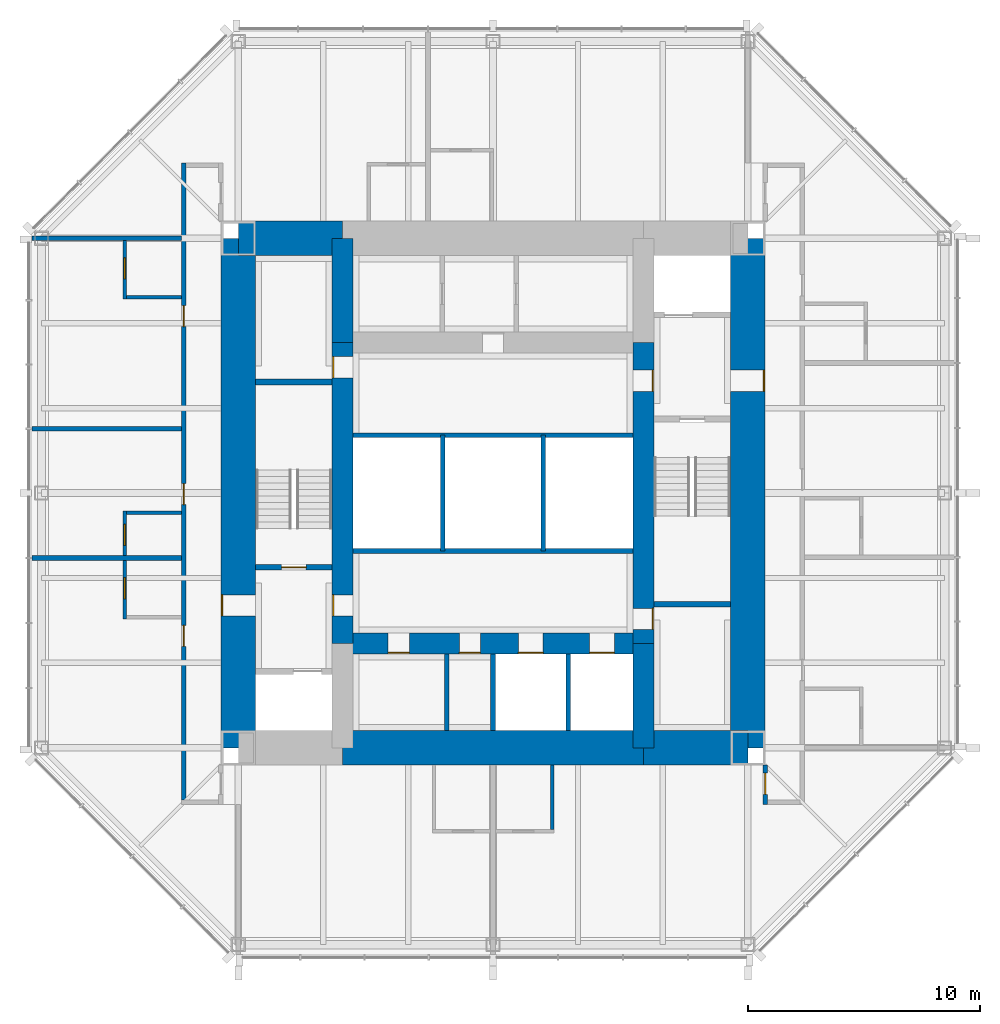
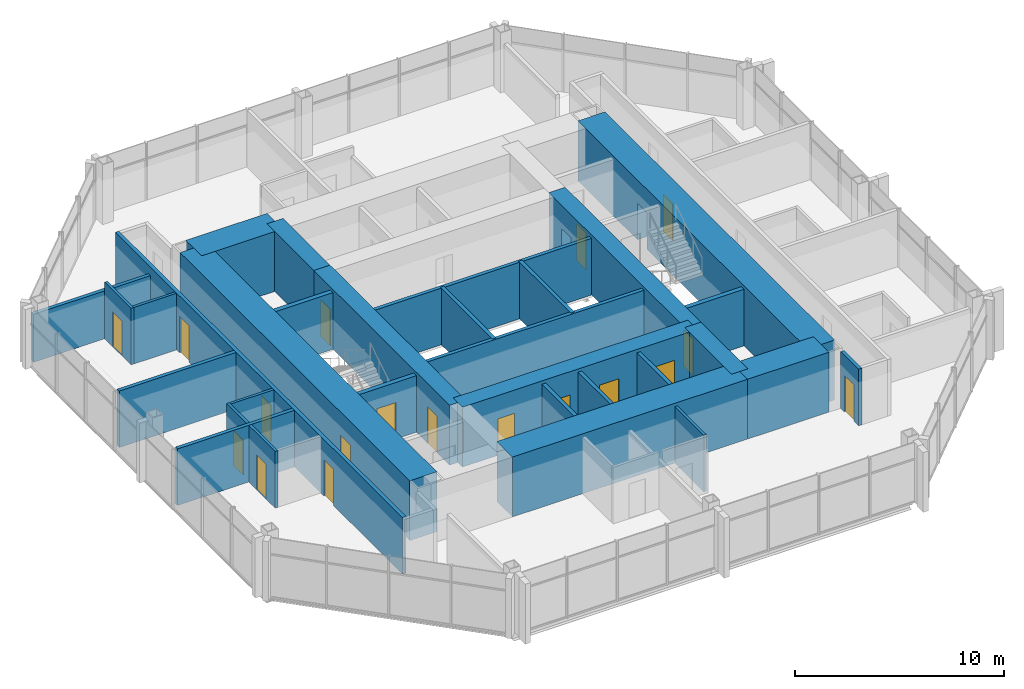
# One storey, part 8 of 11: 31 walls, 18 doors, 18 openings.
"""IFC4 building model written with IfcOpenShell, lengths in metres."""

import ifcopenshell
import ifcopenshell.guid

model = None  # the IFC model being written
_history = None  # IfcOwnerHistory: only IFC2X3 demands one
_inside = {}  # id of a spatial element -> (the spatial element, [elements in it])
_under = {}  # id of a project, library or spatial element -> (it, [spatial elements below it])
_declared = {}  # id of a project -> (the project, [libraries it declares])
_typed = {}  # id of a type object -> (the type object, [elements of that type])
_made_of = {}  # id of a material, layer set ... -> (it, [elements and type objects made of it])


def new_model(schema):
    """Start an empty IFC model of exactly this schema.

    Asked for "IFC4X3", IfcOpenShell would pick the latest addendum, in which some entities
    have other attributes; the version numbers below select the first issue.
    IFC2X3 requires an IfcOwnerHistory on every rooted entity: one is made here for all.
    """
    global model, _history
    if schema == "IFC4X3":
        model = ifcopenshell.file(schema_version=(4, 3, 0, 0))
    else:
        model = ifcopenshell.file(schema=schema)
    _inside.clear()
    _under.clear()
    _declared.clear()
    _typed.clear()
    _made_of.clear()
    _history = None
    if model.schema == "IFC2X3":
        org = make("IfcOrganization", Name="unknown")
        user = make(
            "IfcPersonAndOrganization",
            ThePerson=make("IfcPerson", FamilyName="unknown"),
            TheOrganization=org,
        )
        app = make(
            "IfcApplication",
            ApplicationDeveloper=org,
            Version="unknown",
            ApplicationFullName="unknown",
            ApplicationIdentifier="unknown",
        )
        _history = make(
            "IfcOwnerHistory",
            OwningUser=user,
            OwningApplication=app,
            ChangeAction="ADDED",
            CreationDate=0,
        )
    return model


def make(cls, **values):
    """One entity of the class cls with the attributes given. An attribute that is None is left unset."""
    return model.create_entity(
        cls, **{name: value for name, value in values.items() if value is not None}
    )


def rooted(cls, **values):
    """An entity with a GlobalId (a new one), such as an element, a storey or a relation."""
    return make(cls, GlobalId=ifcopenshell.guid.new(), OwnerHistory=_history, **values)


def si_unit(unit_type, name, prefix=None):
    """IfcSIUnit, for example si_unit("LENGTHUNIT", "METRE", prefix="MILLI")."""
    return make("IfcSIUnit", UnitType=unit_type, Prefix=prefix, Name=name)


def assignment(units):
    """IfcUnitAssignment: the units of a project."""
    return None if units is None else make("IfcUnitAssignment", Units=units)


def point(xyz):
    """IfcCartesianPoint."""
    return None if xyz is None else make("IfcCartesianPoint", Coordinates=xyz)


def direction(xyz):
    """IfcDirection."""
    return None if xyz is None else make("IfcDirection", DirectionRatios=xyz)


def frame(location, z_axis=None, x_axis=None):
    """IfcAxis2Placement3D, a coordinate frame: its origin and axes. An axis left out is left unset."""
    return make(
        "IfcAxis2Placement3D",
        Location=point(location),
        Axis=direction(z_axis),
        RefDirection=direction(x_axis),
    )


def frame_2d(location, x_axis=None):
    """IfcAxis2Placement2D, a coordinate frame in the plane: its origin and x axis."""
    return make(
        "IfcAxis2Placement2D", Location=point(location), RefDirection=direction(x_axis)
    )


def origin():
    """The frame at (0, 0, 0) with its axes left unset."""
    return frame((0.0, 0.0, 0.0))


def place(relative_to, where):
    """IfcLocalPlacement: puts the frame where relative to a parent placement (None: the world)."""
    return make(
        "IfcLocalPlacement", PlacementRelTo=relative_to, RelativePlacement=where
    )


def context(
    kind, dimensions, precision=None, world=None, true_north=None, identifier=None
):
    """IfcGeometricRepresentationContext, for example the 3D "Model" context."""
    return make(
        "IfcGeometricRepresentationContext",
        ContextIdentifier=identifier,
        ContextType=kind,
        CoordinateSpaceDimension=dimensions,
        Precision=precision,
        WorldCoordinateSystem=world,
        TrueNorth=true_north,
    )


def subcontext(parent, identifier, kind, view, scale=None):
    """IfcGeometricRepresentationSubContext, for example "Body" below "Model"."""
    return make(
        "IfcGeometricRepresentationSubContext",
        ContextIdentifier=identifier,
        ContextType=kind,
        ParentContext=parent,
        TargetScale=scale,
        TargetView=view,
    )


def project(units=None, contexts=None):
    """IfcProject with its units and contexts."""
    return rooted(
        "IfcProject",
        Name="project",
        RepresentationContexts=contexts,
        UnitsInContext=assignment(units),
    )


def spatial(cls, under=None, at=None, **own):
    """A site, building, storey or space (cls), placed at a placement, below another one or the project."""
    s = rooted(cls, ObjectPlacement=at, **own)
    if under is not None:
        _under.setdefault(under.id(), (under, []))[1].append(s)
    return s


def profile(cls, at=None, kind="AREA", **sizes):
    """A parametric profile (cls). Its sizes go by their IFC names, for example OverallWidth=200.0."""
    return make(cls, ProfileType=kind, Position=at, **sizes)


def rectangle(**sizes):
    """IfcRectangleProfileDef."""
    return profile("IfcRectangleProfileDef", **sizes)


def extrude(swept, where, along, depth):
    """IfcExtrudedAreaSolid: the profile swept, set in the frame where, extruded along a direction by depth."""
    return make(
        "IfcExtrudedAreaSolid",
        SweptArea=swept,
        Position=where,
        ExtrudedDirection=direction(along),
        Depth=depth,
    )


def shape(context_of_items, identifier, shape_type, items):
    """IfcShapeRepresentation: the items that make up one representation, for example the "Body"."""
    return make(
        "IfcShapeRepresentation",
        ContextOfItems=context_of_items,
        RepresentationIdentifier=identifier,
        RepresentationType=shape_type,
        Items=items,
    )


def material(Name=None, Category=None):
    """IfcMaterial."""
    return make("IfcMaterial", Name=Name, Category=Category)


def layer(
    of_material, thickness, ventilated=None, Name=None, Category=None, Priority=None
):
    """IfcMaterialLayer: one layer of a wall or slab, of a material (None: an air gap)."""
    return make(
        "IfcMaterialLayer",
        Material=of_material,
        LayerThickness=thickness,
        IsVentilated=ventilated,
        Name=Name,
        Category=Category,
        Priority=Priority,
    )


def layer_set(layers, Name=None):
    """IfcMaterialLayerSet."""
    return make("IfcMaterialLayerSet", MaterialLayers=layers, LayerSetName=Name)


def made_of(thing, what):
    """Note that an element or type object is made of a material, layer set ...; save() writes the relation."""
    if what is not None:
        _made_of.setdefault(what.id(), (what, []))[1].append(thing)
    return thing


def type_object(cls, material=None, **own):
    """A type object (cls), such as IfcWallType, which elements share."""
    return made_of(rooted(cls, **own), material)


def element(
    cls,
    number,
    at=None,
    inside=None,
    cuts=None,
    type_object=None,
    material=None,
    context=None,
    identifier="Body",
    shape_type=None,
    held_by="IfcProductDefinitionShape",
    body=None,
    shapes=None,
    **own,
):
    """One element of the class cls, such as IfcWall. Its Tag is "e" and its number.

    at: its placement. inside: the storey or other place that contains it. cuts: it is an
    opening in that element (IfcRelVoidsElement). A single representation is given by context,
    identifier, shape_type and body (its items); several are given by shapes. held_by: the class
    of the entity that holds the representations. save() writes the other relations.
    """
    e = rooted(cls, Tag="e%d" % number, ObjectPlacement=at, **own)
    if body is not None:
        shapes = [shape(context, identifier, shape_type, body)]
    if shapes is not None:
        e.Representation = make(held_by, Representations=shapes)
    if inside is not None:
        _inside.setdefault(inside.id(), (inside, []))[1].append(e)
    if cuts is not None:
        rooted(
            "IfcRelVoidsElement", RelatingBuildingElement=cuts, RelatedOpeningElement=e
        )
    if type_object is not None:
        _typed.setdefault(type_object.id(), (type_object, []))[1].append(e)
    return made_of(e, material)


def fill(opening, filler):
    """IfcRelFillsElement: the door or window that sits in an opening."""
    return rooted(
        "IfcRelFillsElement",
        RelatingOpeningElement=opening,
        RelatedBuildingElement=filler,
    )


def aggregate(whole, parts):
    """IfcRelAggregates: a whole, such as a stair, and the parts it consists of."""
    return rooted("IfcRelAggregates", RelatingObject=whole, RelatedObjects=parts)


def save(model, path):
    """Write the relations noted so far, then the file.

    IfcRelAggregates (storeys below a building ...), IfcRelContainedInSpatialStructure (elements
    in a storey), IfcRelDefinesByType, IfcRelAssociatesMaterial and IfcRelDeclares: one each for
    every whole, place, type object, material and project.
    """
    for whole, parts in _under.values():
        aggregate(whole, parts)
    for where, things in _inside.values():
        rooted(
            "IfcRelContainedInSpatialStructure",
            RelatedElements=things,
            RelatingStructure=where,
        )
    for kind, things in _typed.values():
        rooted("IfcRelDefinesByType", RelatedObjects=things, RelatingType=kind)
    for what, things in _made_of.values():
        rooted("IfcRelAssociatesMaterial", RelatedObjects=things, RelatingMaterial=what)
    for by, libraries in _declared.values():
        rooted("IfcRelDeclares", RelatingContext=by, RelatedDefinitions=libraries)
    model.write(path)


model = new_model("IFC4")

# Units and contexts
model_context = context("Model", 3, precision=1e-05, world=origin(), true_north=direction((0.0, 1.0)))
body_context = subcontext(model_context, "Body", "Model", "MODEL_VIEW")
ifc_project = project(units=[si_unit("LENGTHUNIT", "METRE"), si_unit("AREAUNIT", "SQUARE_METRE"), si_unit("VOLUMEUNIT", "CUBIC_METRE"), si_unit("PLANEANGLEUNIT", "RADIAN"), si_unit("MASSUNIT", "GRAM", prefix="KILO")], contexts=[model_context])

# Site, building, storey
site_placement = place(None, origin())
site = spatial("IfcSite", under=ifc_project, at=site_placement, CompositionType="ELEMENT")
building_placement = place(site_placement, origin())
building = spatial("IfcBuilding", under=site, at=building_placement, Name="Trevanion Tower", CompositionType="ELEMENT")
storey_placement = place(building_placement, frame((0.0, 0.0, 236.199951171875)))
storey = spatial("IfcBuildingStorey", under=building, at=storey_placement, Name="L57", CompositionType="ELEMENT", Elevation=236.199951171875)

# Wall, opening, door
ifc_material_1 = material(Name="Concrete 10,000 psi", Category="concrete")
ifc_layer_1 = layer(ifc_material_1, 1.5)
ifc_layer_set_1 = layer_set([ifc_layer_1], Name="CW1 core wall 1500")
wall_type_1 = type_object("IfcWallType", Name="CW1 core wall 1500", PredefinedType="SHEAR", material=ifc_layer_set_1)
wall_1_placement = place(storey_placement, frame((11.0, -11.0, 0.0), z_axis=(0.0, 0.0, 1.0), x_axis=(0.0, 1.0, 0.0)))
wall_1 = element("IfcWall", 1, at=wall_1_placement, inside=storey, type_object=wall_type_1, Name="CW1 CE L57", PredefinedType="SHEAR", context=body_context, shape_type="SweptSolid", body=[
    extrude(rectangle(XDim=22.0, YDim=1.5, at=frame_2d((11.0, 0.0))), origin(), (0.0, 0.0, 1.0), 3.5),
])
opening_1_placement = place(wall_1_placement, frame((15.392578125, 0.0, 0.0)))
opening_1 = element("IfcOpeningElement", 2, at=opening_1_placement, cuts=wall_1, Name="Opening 57-001", PredefinedType="OPENING", context=body_context, shape_type="SweptSolid", body=[
    extrude(rectangle(XDim=0.9150390625, YDim=2.134033203125, at=frame_2d((0.45751953125, 1.06689453125))), frame((0.0, 0.760009765625, 0.0), z_axis=(0.0, -1.0, 0.0), x_axis=(1.0, 0.0, 0.0)), (0.0, 0.0, 1.0), 1.52001953125),
])
ifc_material_2 = material(Name="Hollow metal, fire rated", Category="steel")
door_type_1 = type_object("IfcDoorType", Name="D3 fire lift lobby door", OperationType="SINGLE_SWING_RIGHT", PredefinedType="DOOR", material=ifc_material_2)
door_1_placement = place(opening_1_placement, origin())
door_1 = element("IfcDoor", 3, at=door_1_placement, inside=storey, type_object=door_type_1, Name="Door 57-001", OperationType="SINGLE_SWING_RIGHT", OverallHeight=2.134033203125, OverallWidth=0.9150390625, PredefinedType="DOOR", context=body_context, shape_type="SweptSolid", body=[
    extrude(rectangle(XDim=0.9150390625, YDim=2.134033203125, at=frame_2d((0.45751953125, 1.06689453125))), frame((0.0, -0.6748046875, 0.0), z_axis=(0.0, -1.0, 0.0), x_axis=(1.0, 0.0, 0.0)), (0.0, 0.0, 1.0), 0.050048828125),
])
fill(opening_1, door_1)

wall_2_placement = place(storey_placement, frame((-11.0, 11.0, 0.0), z_axis=(0.0, 0.0, 1.0), x_axis=(0.0, -1.0, 0.0)))
wall_2 = element("IfcWall", 4, at=wall_2_placement, inside=storey, type_object=wall_type_1, Name="CW1 CW L57", PredefinedType="SHEAR", context=body_context, shape_type="SweptSolid", body=[
    extrude(rectangle(XDim=22.0, YDim=1.5, at=frame_2d((11.0, 0.0))), origin(), (0.0, 0.0, 1.0), 3.5),
])
opening_2_placement = place(wall_2_placement, frame((15.392578125, 0.0, 0.0)))
opening_2 = element("IfcOpeningElement", 5, at=opening_2_placement, cuts=wall_2, Name="Opening 57-002", PredefinedType="OPENING", context=body_context, shape_type="SweptSolid", body=[
    extrude(rectangle(XDim=0.9150390625, YDim=2.134033203125, at=frame_2d((0.45751953125, 1.06689453125))), frame((0.0, 0.760009765625, 0.0), z_axis=(0.0, -1.0, 0.0), x_axis=(1.0, 0.0, 0.0)), (0.0, 0.0, 1.0), 1.52001953125),
])
door_2_placement = place(opening_2_placement, origin())
door_2 = element("IfcDoor", 6, at=door_2_placement, inside=storey, type_object=door_type_1, Name="Door 57-002", OperationType="SINGLE_SWING_RIGHT", OverallHeight=2.134033203125, OverallWidth=0.9150390625, PredefinedType="DOOR", context=body_context, shape_type="SweptSolid", body=[
    extrude(rectangle(XDim=0.9150390625, YDim=2.134033203125, at=frame_2d((0.45751953125, 1.06689453125))), frame((0.0, -0.6748046875, 0.0), z_axis=(0.0, -1.0, 0.0), x_axis=(1.0, 0.0, 0.0)), (0.0, 0.0, 1.0), 0.050048828125),
])
fill(opening_2, door_2)

# Walls
wall_3_placement = place(storey_placement, frame((-6.5, 11.0, 0.0), z_axis=(0.0, 0.0, 1.0), x_axis=(-1.0, 0.0, 0.0)))
element("IfcWall", 7, at=wall_3_placement, inside=storey, type_object=wall_type_1, Name="CW1 CN3 L57", PredefinedType="SHEAR", context=body_context, shape_type="SweptSolid", body=[
    extrude(rectangle(XDim=4.5, YDim=1.5, at=frame_2d((2.25, 0.0))), origin(), (0.0, 0.0, 1.0), 3.5),
])
wall_4_placement = place(storey_placement, frame((-6.5, -11.0, 0.0), z_axis=(0.0, 0.0, 1.0), x_axis=(1.0, 0.0, 0.0)))
element("IfcWall", 8, at=wall_4_placement, inside=storey, type_object=wall_type_1, Name="CW1 CS2 L57", PredefinedType="SHEAR", context=body_context, shape_type="SweptSolid", body=[
    extrude(rectangle(XDim=13.0, YDim=1.5, at=frame_2d((6.5, 0.0))), origin(), (0.0, 0.0, 1.0), 3.5),
])
wall_5_placement = place(storey_placement, frame((6.5, -11.0, 0.0), z_axis=(0.0, 0.0, 1.0), x_axis=(1.0, 0.0, 0.0)))
element("IfcWall", 9, at=wall_5_placement, inside=storey, type_object=wall_type_1, Name="CW1 CS3 L57", PredefinedType="SHEAR", context=body_context, shape_type="SweptSolid", body=[
    extrude(rectangle(XDim=4.5, YDim=1.5, at=frame_2d((2.25, 0.0))), origin(), (0.0, 0.0, 1.0), 3.5),
])
ifc_material_3 = material(Name="Concrete 10,000 psi", Category="concrete")
ifc_layer_2 = layer(ifc_material_3, 0.89990234375)
ifc_layer_set_2 = layer_set([ifc_layer_2], Name="CW2 core wall 900")
wall_type_2 = type_object("IfcWallType", Name="CW2 core wall 900", PredefinedType="SHEAR", material=ifc_layer_set_2)
wall_6_placement = place(storey_placement, frame((6.5, -11.0, 0.0), z_axis=(0.0, 0.0, 1.0), x_axis=(0.0, 1.0, 0.0)))
element("IfcWall", 10, at=wall_6_placement, inside=storey, type_object=wall_type_2, Name="CW2 RE1 L57", PredefinedType="SHEAR", context=body_context, shape_type="SweptSolid", body=[
    extrude(rectangle(XDim=4.5, YDim=0.89990234375, at=frame_2d((2.25, 0.0))), origin(), (0.0, 0.0, 1.0), 3.5),
])

# Wall, openings, doors
wall_7_placement = place(storey_placement, frame((6.5, -6.5, 0.0), z_axis=(0.0, 0.0, 1.0), x_axis=(0.0, 1.0, 0.0)))
wall_7 = element("IfcWall", 11, at=wall_7_placement, inside=storey, type_object=wall_type_2, Name="CW2 RE2 L57", PredefinedType="SHEAR", context=body_context, shape_type="SweptSolid", body=[
    extrude(rectangle(XDim=13.0, YDim=0.89990234375, at=frame_2d((6.5, 0.0))), origin(), (0.0, 0.0, 1.0), 3.5),
])
opening_3_placement = place(wall_7_placement, frame((10.892578125, 0.0, 0.0)))
opening_3 = element("IfcOpeningElement", 12, at=opening_3_placement, cuts=wall_7, Name="Opening 57-003", PredefinedType="OPENING", context=body_context, shape_type="SweptSolid", body=[
    extrude(rectangle(XDim=0.9150390625, YDim=2.134033203125, at=frame_2d((0.45751953125, 1.06689453125))), frame((0.0, 0.4599609375, 0.0), z_axis=(0.0, -1.0, 0.0), x_axis=(1.0, 0.0, 0.0)), (0.0, 0.0, 1.0), 0.919921875),
])
opening_4_placement = place(wall_7_placement, frame((0.610107421875, 0.0, 0.0)))
opening_4 = element("IfcOpeningElement", 13, at=opening_4_placement, cuts=wall_7, Name="Opening 57-009", PredefinedType="OPENING", context=body_context, shape_type="SweptSolid", body=[
    extrude(rectangle(XDim=0.9150390625, YDim=2.134033203125, at=frame_2d((0.45751953125, 1.06689453125))), frame((0.0, 0.4599609375, 0.0), z_axis=(0.0, -1.0, 0.0), x_axis=(1.0, 0.0, 0.0)), (0.0, 0.0, 1.0), 0.919921875),
])
door_3_placement = place(opening_3_placement, origin())
door_3 = element("IfcDoor", 14, at=door_3_placement, inside=storey, type_object=door_type_1, Name="Door 57-003", OperationType="SINGLE_SWING_RIGHT", OverallHeight=2.134033203125, OverallWidth=0.9150390625, PredefinedType="DOOR", context=body_context, shape_type="SweptSolid", body=[
    extrude(rectangle(XDim=0.9150390625, YDim=2.134033203125, at=frame_2d((0.45751953125, 1.06689453125))), frame((0.0, -0.375, 0.0), z_axis=(0.0, -1.0, 0.0), x_axis=(1.0, 0.0, 0.0)), (0.0, 0.0, 1.0), 0.050048828125),
])
fill(opening_3, door_3)
ifc_material_4 = material(Name="Hollow metal, fire rated", Category="steel")
door_type_2 = type_object("IfcDoorType", Name="D5 service room door", OperationType="SINGLE_SWING_RIGHT", PredefinedType="DOOR", material=ifc_material_4)
door_4_placement = place(opening_4_placement, origin())
door_4 = element("IfcDoor", 15, at=door_4_placement, inside=storey, type_object=door_type_2, Name="Door 57-009", OperationType="SINGLE_SWING_RIGHT", OverallHeight=2.134033203125, OverallWidth=0.9150390625, PredefinedType="DOOR", context=body_context, shape_type="SweptSolid", body=[
    extrude(rectangle(XDim=0.9150390625, YDim=2.134033203125, at=frame_2d((0.45751953125, 1.06689453125))), frame((0.0, -0.375, 0.0), z_axis=(0.0, -1.0, 0.0), x_axis=(1.0, 0.0, 0.0)), (0.0, 0.0, 1.0), 0.050048828125),
])
fill(opening_4, door_4)

# Wall
wall_8_placement = place(storey_placement, frame((-6.5, 11.0, 0.0), z_axis=(0.0, 0.0, 1.0), x_axis=(0.0, -1.0, 0.0)))
element("IfcWall", 16, at=wall_8_placement, inside=storey, type_object=wall_type_2, Name="CW2 RW1 L57", PredefinedType="SHEAR", context=body_context, shape_type="SweptSolid", body=[
    extrude(rectangle(XDim=4.5, YDim=0.89990234375, at=frame_2d((2.25, 0.0))), origin(), (0.0, 0.0, 1.0), 3.5),
])

# Wall, openings, doors
wall_9_placement = place(storey_placement, frame((-6.5, 6.5, 0.0), z_axis=(0.0, 0.0, 1.0), x_axis=(0.0, -1.0, 0.0)))
wall_9 = element("IfcWall", 17, at=wall_9_placement, inside=storey, type_object=wall_type_2, Name="CW2 RW2 L57", PredefinedType="SHEAR", context=body_context, shape_type="SweptSolid", body=[
    extrude(rectangle(XDim=13.0, YDim=0.89990234375, at=frame_2d((6.5, 0.0))), origin(), (0.0, 0.0, 1.0), 3.5),
])
opening_5_placement = place(wall_9_placement, frame((10.892578125, 0.0, 0.0)))
opening_5 = element("IfcOpeningElement", 18, at=opening_5_placement, cuts=wall_9, Name="Opening 57-004", PredefinedType="OPENING", context=body_context, shape_type="SweptSolid", body=[
    extrude(rectangle(XDim=0.9150390625, YDim=2.134033203125, at=frame_2d((0.45751953125, 1.06689453125))), frame((0.0, 0.4599609375, 0.0), z_axis=(0.0, -1.0, 0.0), x_axis=(1.0, 0.0, 0.0)), (0.0, 0.0, 1.0), 0.919921875),
])
opening_6_placement = place(wall_9_placement, frame((0.610107421875, 0.0, 0.0)))
opening_6 = element("IfcOpeningElement", 19, at=opening_6_placement, cuts=wall_9, Name="Opening 57-010", PredefinedType="OPENING", context=body_context, shape_type="SweptSolid", body=[
    extrude(rectangle(XDim=0.9150390625, YDim=2.134033203125, at=frame_2d((0.45751953125, 1.06689453125))), frame((0.0, 0.4599609375, 0.0), z_axis=(0.0, -1.0, 0.0), x_axis=(1.0, 0.0, 0.0)), (0.0, 0.0, 1.0), 0.919921875),
])
door_5_placement = place(opening_5_placement, origin())
door_5 = element("IfcDoor", 20, at=door_5_placement, inside=storey, type_object=door_type_1, Name="Door 57-004", OperationType="SINGLE_SWING_RIGHT", OverallHeight=2.134033203125, OverallWidth=0.9150390625, PredefinedType="DOOR", context=body_context, shape_type="SweptSolid", body=[
    extrude(rectangle(XDim=0.9150390625, YDim=2.134033203125, at=frame_2d((0.45751953125, 1.06689453125))), frame((0.0, -0.375, 0.0), z_axis=(0.0, -1.0, 0.0), x_axis=(1.0, 0.0, 0.0)), (0.0, 0.0, 1.0), 0.050048828125),
])
fill(opening_5, door_5)
door_6_placement = place(opening_6_placement, origin())
door_6 = element("IfcDoor", 21, at=door_6_placement, inside=storey, type_object=door_type_2, Name="Door 57-010", OperationType="SINGLE_SWING_RIGHT", OverallHeight=2.134033203125, OverallWidth=0.9150390625, PredefinedType="DOOR", context=body_context, shape_type="SweptSolid", body=[
    extrude(rectangle(XDim=0.9150390625, YDim=2.134033203125, at=frame_2d((0.45751953125, 1.06689453125))), frame((0.0, -0.375, 0.0), z_axis=(0.0, -1.0, 0.0), x_axis=(1.0, 0.0, 0.0)), (0.0, 0.0, 1.0), 0.050048828125),
])
fill(opening_6, door_6)

wall_10_placement = place(storey_placement, frame((-6.5, -6.5, 0.0), z_axis=(0.0, 0.0, 1.0), x_axis=(1.0, 0.0, 0.0)))
wall_10 = element("IfcWall", 22, at=wall_10_placement, inside=storey, type_object=wall_type_2, Name="CW2 RS L57", PredefinedType="SHEAR", context=body_context, shape_type="SweptSolid", body=[
    extrude(rectangle(XDim=13.0, YDim=0.89990234375, at=frame_2d((6.5, 0.0))), origin(), (0.0, 0.0, 1.0), 3.5),
])
opening_7_placement = place(wall_10_placement, frame((7.591552734375, 0.0, 0.0)))
opening_7 = element("IfcOpeningElement", 23, at=opening_7_placement, cuts=wall_10, Name="Opening 57-011", PredefinedType="OPENING", context=body_context, shape_type="SweptSolid", body=[
    extrude(rectangle(XDim=1.06689453125, YDim=2.134033203125, at=frame_2d((0.533447265625, 1.06689453125))), frame((0.0, 0.4599609375, 0.0), z_axis=(0.0, -1.0, 0.0), x_axis=(1.0, 0.0, 0.0)), (0.0, 0.0, 1.0), 0.919921875),
])
opening_8_placement = place(wall_10_placement, frame((10.66650390625, 0.0, 0.0)))
opening_8 = element("IfcOpeningElement", 24, at=opening_8_placement, cuts=wall_10, Name="Opening 57-012", PredefinedType="OPENING", context=body_context, shape_type="SweptSolid", body=[
    extrude(rectangle(XDim=1.06689453125, YDim=2.134033203125, at=frame_2d((0.533447265625, 1.06689453125))), frame((0.0, 0.4599609375, 0.0), z_axis=(0.0, -1.0, 0.0), x_axis=(1.0, 0.0, 0.0)), (0.0, 0.0, 1.0), 0.919921875),
])
opening_9_placement = place(wall_10_placement, frame((1.967529296875, 0.0, 0.0)))
opening_9 = element("IfcOpeningElement", 25, at=opening_9_placement, cuts=wall_10, Name="Opening 57-013", PredefinedType="OPENING", context=body_context, shape_type="SweptSolid", body=[
    extrude(rectangle(XDim=0.9150390625, YDim=2.134033203125, at=frame_2d((0.45751953125, 1.06689453125))), frame((0.0, 0.4599609375, 0.0), z_axis=(0.0, -1.0, 0.0), x_axis=(1.0, 0.0, 0.0)), (0.0, 0.0, 1.0), 0.919921875),
])
opening_10_placement = place(wall_10_placement, frame((5.04248046875, 0.0, 0.0)))
opening_10 = element("IfcOpeningElement", 26, at=opening_10_placement, cuts=wall_10, Name="Opening 57-014", PredefinedType="OPENING", context=body_context, shape_type="SweptSolid", body=[
    extrude(rectangle(XDim=0.9150390625, YDim=2.134033203125, at=frame_2d((0.45751953125, 1.06689453125))), frame((0.0, 0.4599609375, 0.0), z_axis=(0.0, -1.0, 0.0), x_axis=(1.0, 0.0, 0.0)), (0.0, 0.0, 1.0), 0.919921875),
])
door_7_placement = place(opening_9_placement, origin())
door_7 = element("IfcDoor", 27, at=door_7_placement, inside=storey, type_object=door_type_2, Name="Door 57-013", OperationType="SINGLE_SWING_RIGHT", OverallHeight=2.134033203125, OverallWidth=0.9150390625, PredefinedType="DOOR", context=body_context, shape_type="SweptSolid", body=[
    extrude(rectangle(XDim=0.9150390625, YDim=2.134033203125, at=frame_2d((0.45751953125, 1.06689453125))), frame((0.0, -0.375, 0.0), z_axis=(0.0, -1.0, 0.0), x_axis=(1.0, 0.0, 0.0)), (0.0, 0.0, 1.0), 0.050048828125),
])
fill(opening_9, door_7)
door_8_placement = place(opening_10_placement, origin())
door_8 = element("IfcDoor", 28, at=door_8_placement, inside=storey, type_object=door_type_2, Name="Door 57-014", OperationType="SINGLE_SWING_RIGHT", OverallHeight=2.134033203125, OverallWidth=0.9150390625, PredefinedType="DOOR", context=body_context, shape_type="SweptSolid", body=[
    extrude(rectangle(XDim=0.9150390625, YDim=2.134033203125, at=frame_2d((0.45751953125, 1.06689453125))), frame((0.0, -0.375, 0.0), z_axis=(0.0, -1.0, 0.0), x_axis=(1.0, 0.0, 0.0)), (0.0, 0.0, 1.0), 0.050048828125),
])
fill(opening_10, door_8)
ifc_material_5 = material(Name="Stainless steel, fire rated", Category="steel")
door_type_3 = type_object("IfcDoorType", Name="LD1 lift landing door", OperationType="SLIDING_TO_LEFT", PredefinedType="DOOR", material=ifc_material_5)
door_9_placement = place(opening_7_placement, origin())
door_9 = element("IfcDoor", 29, at=door_9_placement, inside=storey, type_object=door_type_3, Name="Door 57-011", OperationType="SLIDING_TO_LEFT", OverallHeight=2.134033203125, OverallWidth=1.06689453125, PredefinedType="DOOR", context=body_context, shape_type="SweptSolid", body=[
    extrude(rectangle(XDim=1.06689453125, YDim=2.134033203125, at=frame_2d((0.533447265625, 1.06689453125))), frame((0.0, -0.375, 0.0), z_axis=(0.0, -1.0, 0.0), x_axis=(1.0, 0.0, 0.0)), (0.0, 0.0, 1.0), 0.050048828125),
])
fill(opening_7, door_9)
door_10_placement = place(opening_8_placement, origin())
door_10 = element("IfcDoor", 30, at=door_10_placement, inside=storey, type_object=door_type_3, Name="Door 57-012", OperationType="SLIDING_TO_LEFT", OverallHeight=2.134033203125, OverallWidth=1.06689453125, PredefinedType="DOOR", context=body_context, shape_type="SweptSolid", body=[
    extrude(rectangle(XDim=1.06689453125, YDim=2.134033203125, at=frame_2d((0.533447265625, 1.06689453125))), frame((0.0, -0.375, 0.0), z_axis=(0.0, -1.0, 0.0), x_axis=(1.0, 0.0, 0.0)), (0.0, 0.0, 1.0), 0.050048828125),
])
fill(opening_8, door_10)

# Wall, opening, door
ifc_material_6 = material(Name="Gypsum board on steel studs", Category="steel")
ifc_layer_3 = layer(ifc_material_6, 0.14990234375)
ifc_layer_set_3 = layer_set([ifc_layer_3], Name="PT1 partition 150")
wall_type_3 = type_object("IfcWallType", Name="PT1 partition 150", PredefinedType="PARTITIONING", material=ifc_layer_set_3)
wall_11_placement = place(storey_placement, frame((-15.89990234375, 10.89990234375, 0.0), z_axis=(0.0, 0.0, 1.0), x_axis=(0.0, -1.0, 0.0)))
wall_11 = element("IfcWall", 31, at=wall_11_placement, inside=storey, type_object=wall_type_3, Name="PT1 L57 BA20", PredefinedType="PARTITIONING", context=body_context, shape_type="SweptSolid", body=[
    extrude(rectangle(XDim=2.52490234375, YDim=0.14990234375, at=frame_2d((1.262451171875, 0.0))), origin(), (0.0, 0.0, 1.0), 3.31005859375),
])
opening_11_placement = place(wall_11_placement, frame((0.742431640625, 0.0, 0.0)))
opening_11 = element("IfcOpeningElement", 32, at=opening_11_placement, cuts=wall_11, Name="Opening 57-028", PredefinedType="OPENING", context=body_context, shape_type="SweptSolid", body=[
    extrude(rectangle(XDim=0.9150390625, YDim=2.031982421875, at=frame_2d((0.45751953125, 1.01611328125))), frame((0.0, 0.0849609375, 0.0), z_axis=(0.0, -1.0, 0.0), x_axis=(1.0, 0.0, 0.0)), (0.0, 0.0, 1.0), 0.169921875),
])
ifc_material_7 = material(Name="Timber veneer", Category="wood")
door_type_4 = type_object("IfcDoorType", Name="D7 bathroom door", OperationType="SINGLE_SWING_LEFT", PredefinedType="DOOR", material=ifc_material_7)
door_11_placement = place(opening_11_placement, origin())
door_11 = element("IfcDoor", 33, at=door_11_placement, inside=storey, type_object=door_type_4, Name="Door 57-028", OperationType="SINGLE_SWING_LEFT", OverallHeight=2.031982421875, OverallWidth=0.9150390625, PredefinedType="DOOR", context=body_context, shape_type="SweptSolid", body=[
    extrude(rectangle(XDim=0.9150390625, YDim=2.031982421875, at=frame_2d((0.45751953125, 1.01611328125))), frame((0.0, 0.02490234375, 0.0), z_axis=(0.0, -1.0, 0.0), x_axis=(1.0, 0.0, 0.0)), (0.0, 0.0, 1.0), 0.050048828125),
])
fill(opening_11, door_11)

# Wall
wall_12_placement = place(storey_placement, frame((-13.449951171875, 8.449951171875, 0.0), z_axis=(0.0, 0.0, 1.0), x_axis=(-1.0, 0.0, 0.0)))
element("IfcWall", 34, at=wall_12_placement, inside=storey, type_object=wall_type_3, Name="PT1 L57 BB20", PredefinedType="PARTITIONING", context=body_context, shape_type="SweptSolid", body=[
    extrude(rectangle(XDim=2.375, YDim=0.14990234375, at=frame_2d((1.1875, 0.0))), origin(), (0.0, 0.0, 1.0), 3.31005859375),
])

# Wall, opening, door
wall_13_placement = place(storey_placement, frame((-15.89990234375, -0.781982421875, 0.0), z_axis=(0.0, 0.0, 1.0), x_axis=(0.0, -1.0, 0.0)))
wall_13 = element("IfcWall", 35, at=wall_13_placement, inside=storey, type_object=wall_type_3, Name="PT1 L57 BA21", PredefinedType="PARTITIONING", context=body_context, shape_type="SweptSolid", body=[
    extrude(rectangle(XDim=1.925048828125, YDim=0.14990234375, at=frame_2d((0.96240234375, 0.0))), origin(), (0.0, 0.0, 1.0), 3.31005859375),
])
opening_12_placement = place(wall_13_placement, frame((0.5673828125, 0.0, 0.0)))
opening_12 = element("IfcOpeningElement", 36, at=opening_12_placement, cuts=wall_13, Name="Opening 57-030", PredefinedType="OPENING", context=body_context, shape_type="SweptSolid", body=[
    extrude(rectangle(XDim=0.9150390625, YDim=2.031982421875, at=frame_2d((0.45751953125, 1.01611328125))), frame((0.0, 0.0849609375, 0.0), z_axis=(0.0, -1.0, 0.0), x_axis=(1.0, 0.0, 0.0)), (0.0, 0.0, 1.0), 0.169921875),
])
door_12_placement = place(opening_12_placement, origin())
door_12 = element("IfcDoor", 37, at=door_12_placement, inside=storey, type_object=door_type_4, Name="Door 57-030", OperationType="SINGLE_SWING_LEFT", OverallHeight=2.031982421875, OverallWidth=0.9150390625, PredefinedType="DOOR", context=body_context, shape_type="SweptSolid", body=[
    extrude(rectangle(XDim=0.9150390625, YDim=2.031982421875, at=frame_2d((0.45751953125, 1.01611328125))), frame((0.0, 0.02490234375, 0.0), z_axis=(0.0, -1.0, 0.0), x_axis=(1.0, 0.0, 0.0)), (0.0, 0.0, 1.0), 0.050048828125),
])
fill(opening_12, door_12)

# Wall
wall_14_placement = place(storey_placement, frame((-13.449951171875, -0.85693359375, 0.0), z_axis=(0.0, 0.0, 1.0), x_axis=(-1.0, 0.0, 0.0)))
element("IfcWall", 38, at=wall_14_placement, inside=storey, type_object=wall_type_3, Name="PT1 L57 BB21", PredefinedType="PARTITIONING", context=body_context, shape_type="SweptSolid", body=[
    extrude(rectangle(XDim=2.375, YDim=0.14990234375, at=frame_2d((1.1875, 0.0))), origin(), (0.0, 0.0, 1.0), 3.31005859375),
])

# Wall, opening, door
wall_15_placement = place(storey_placement, frame((-15.89990234375, -2.906982421875, 0.0), z_axis=(0.0, 0.0, 1.0), x_axis=(0.0, -1.0, 0.0)))
wall_15 = element("IfcWall", 39, at=wall_15_placement, inside=storey, type_object=wall_type_3, Name="PT1 L57 BA22", PredefinedType="PARTITIONING", context=body_context, shape_type="SweptSolid", body=[
    extrude(rectangle(XDim=2.52490234375, YDim=0.14990234375, at=frame_2d((1.262451171875, 0.0))), origin(), (0.0, 0.0, 1.0), 3.31005859375),
])
opening_13_placement = place(wall_15_placement, frame((0.742431640625, 0.0, 0.0)))
opening_13 = element("IfcOpeningElement", 40, at=opening_13_placement, cuts=wall_15, Name="Opening 57-032", PredefinedType="OPENING", context=body_context, shape_type="SweptSolid", body=[
    extrude(rectangle(XDim=0.9150390625, YDim=2.031982421875, at=frame_2d((0.45751953125, 1.01611328125))), frame((0.0, 0.0849609375, 0.0), z_axis=(0.0, -1.0, 0.0), x_axis=(1.0, 0.0, 0.0)), (0.0, 0.0, 1.0), 0.169921875),
])
door_13_placement = place(opening_13_placement, origin())
door_13 = element("IfcDoor", 41, at=door_13_placement, inside=storey, type_object=door_type_4, Name="Door 57-032", OperationType="SINGLE_SWING_LEFT", OverallHeight=2.031982421875, OverallWidth=0.9150390625, PredefinedType="DOOR", context=body_context, shape_type="SweptSolid", body=[
    extrude(rectangle(XDim=0.9150390625, YDim=2.031982421875, at=frame_2d((0.45751953125, 1.01611328125))), frame((0.0, 0.02490234375, 0.0), z_axis=(0.0, -1.0, 0.0), x_axis=(1.0, 0.0, 0.0)), (0.0, 0.0, 1.0), 0.050048828125),
])
fill(opening_13, door_13)

# Walls
wall_16_placement = place(storey_placement, frame((2.550048828125, -11.75, 0.0), z_axis=(0.0, 0.0, 1.0), x_axis=(0.0, -1.0, 0.0)))
element("IfcWall", 42, at=wall_16_placement, inside=storey, type_object=wall_type_3, Name="PT1 L57 BB31", PredefinedType="PARTITIONING", context=body_context, shape_type="SweptSolid", body=[
    extrude(rectangle(XDim=2.77490234375, YDim=0.14990234375, at=frame_2d((1.387451171875, 0.0))), origin(), (0.0, 0.0, 1.0), 3.31005859375),
])
ifc_material_8 = material(Name="Concrete masonry, grouted", Category="masonry")
ifc_layer_4 = layer(ifc_material_8, 0.199951171875)
ifc_layer_set_4 = layer_set([ifc_layer_4], Name="PT2 partition 200 1 HR")
wall_type_4 = type_object("IfcWallType", Name="PT2 partition 200 1 HR", PredefinedType="PARTITIONING", material=ifc_layer_set_4)
for number, where, z_axis, x_axis, name in (
    (43, (-6.050048828125, 2.5, 0.0), (0.0, 0.0, 1.0), (1.0, 0.0, 0.0), "PT2 L57 CP1"),
    (44, (6.050048828125, -2.5, 0.0), (0.0, 0.0, 1.0), (-1.0, 0.0, 0.0), "PT2 L57 CP2"),
):
    element("IfcWall", number, at=place(storey_placement, frame(where, z_axis=z_axis, x_axis=x_axis)), inside=storey, type_object=wall_type_4, Name=name, PredefinedType="PARTITIONING", context=body_context, shape_type="SweptSolid", body=[
        extrude(rectangle(XDim=12.10009765625, YDim=0.199951171875, at=frame_2d((6.050048828125, 0.0))), origin(), (0.0, 0.0, 1.0), 3.31005859375),
    ])
wall_17_placement = place(storey_placement, frame((-2.0, -10.25, 0.0), z_axis=(0.0, 0.0, 1.0), x_axis=(0.0, 1.0, 0.0)))
element("IfcWall", 45, at=wall_17_placement, inside=storey, type_object=wall_type_4, Name="PT2 L57 SI0", PredefinedType="PARTITIONING", context=body_context, shape_type="SweptSolid", body=[
    extrude(rectangle(XDim=3.300048828125, YDim=0.199951171875, at=frame_2d((1.64990234375, 0.0))), origin(), (0.0, 0.0, 1.0), 3.31005859375),
])

# Wall, opening, door
wall_18_placement = place(storey_placement, frame((11.75, -11.75, 0.0), z_axis=(0.0, 0.0, 1.0), x_axis=(0.0, -1.0, 0.0)))
wall_18 = element("IfcWall", 46, at=wall_18_placement, inside=storey, type_object=wall_type_4, Name="PT2 L57 HO3b", PredefinedType="PARTITIONING", context=body_context, shape_type="SweptSolid", body=[
    extrude(rectangle(XDim=1.699951171875, YDim=0.199951171875, at=frame_2d((0.85009765625, 0.0))), origin(), (0.0, 0.0, 1.0), 3.31005859375),
])
opening_14_placement = place(wall_18_placement, frame((0.342529296875, 0.0, 0.0)))
opening_14 = element("IfcOpeningElement", 47, at=opening_14_placement, cuts=wall_18, Name="Opening 57-035", PredefinedType="OPENING", context=body_context, shape_type="SweptSolid", body=[
    extrude(rectangle(XDim=0.9150390625, YDim=2.134033203125, at=frame_2d((0.45751953125, 1.06689453125))), frame((0.0, 0.10986328125, 0.0), z_axis=(0.0, -1.0, 0.0), x_axis=(1.0, 0.0, 0.0)), (0.0, 0.0, 1.0), 0.219970703125),
])
ifc_material_9 = material(Name="Timber veneer, fire rated", Category="wood")
door_type_5 = type_object("IfcDoorType", Name="D6 guest room entrance door", OperationType="SINGLE_SWING_LEFT", PredefinedType="DOOR", material=ifc_material_9)
door_14_placement = place(opening_14_placement, origin())
door_14 = element("IfcDoor", 48, at=door_14_placement, inside=storey, type_object=door_type_5, Name="Door 57-035", OperationType="SINGLE_SWING_LEFT", OverallHeight=2.134033203125, OverallWidth=0.9150390625, PredefinedType="DOOR", context=body_context, shape_type="SweptSolid", body=[
    extrude(rectangle(XDim=0.9150390625, YDim=2.134033203125, at=frame_2d((0.45751953125, 1.06689453125))), frame((0.0, 0.02490234375, 0.0), z_axis=(0.0, -1.0, 0.0), x_axis=(1.0, 0.0, 0.0)), (0.0, 0.0, 1.0), 0.050048828125),
])
fill(opening_14, door_14)

# Wall, openings, doors
wall_19_placement = place(storey_placement, frame((-13.35009765625, 14.25, 0.0), z_axis=(0.0, 0.0, 1.0), x_axis=(0.0, -1.0, 0.0)))
wall_19 = element("IfcWall", 49, at=wall_19_placement, inside=storey, type_object=wall_type_4, Name="PT2 L57 HC2", PredefinedType="PARTITIONING", context=body_context, shape_type="SweptSolid", body=[
    extrude(rectangle(XDim=27.5, YDim=0.199951171875, at=frame_2d((13.75, 0.0))), origin(), (0.0, 0.0, 1.0), 3.31005859375),
])
opening_15_placement = place(wall_19_placement, frame((6.152587890625, 0.0, 0.0)))
opening_15 = element("IfcOpeningElement", 50, at=opening_15_placement, cuts=wall_19, Name="Opening 57-029", PredefinedType="OPENING", context=body_context, shape_type="SweptSolid", body=[
    extrude(rectangle(XDim=0.9150390625, YDim=2.134033203125, at=frame_2d((0.45751953125, 1.06689453125))), frame((0.0, 0.10986328125, 0.0), z_axis=(0.0, -1.0, 0.0), x_axis=(1.0, 0.0, 0.0)), (0.0, 0.0, 1.0), 0.219970703125),
])
opening_16_placement = place(wall_19_placement, frame((13.839599609375, 0.0, 0.0)))
opening_16 = element("IfcOpeningElement", 51, at=opening_16_placement, cuts=wall_19, Name="Opening 57-031", PredefinedType="OPENING", context=body_context, shape_type="SweptSolid", body=[
    extrude(rectangle(XDim=0.9150390625, YDim=2.134033203125, at=frame_2d((0.45751953125, 1.06689453125))), frame((0.0, 0.10986328125, 0.0), z_axis=(0.0, -1.0, 0.0), x_axis=(1.0, 0.0, 0.0)), (0.0, 0.0, 1.0), 0.219970703125),
])
opening_17_placement = place(wall_19_placement, frame((19.95947265625, 0.0, 0.0)))
opening_17 = element("IfcOpeningElement", 52, at=opening_17_placement, cuts=wall_19, Name="Opening 57-033", PredefinedType="OPENING", context=body_context, shape_type="SweptSolid", body=[
    extrude(rectangle(XDim=0.9150390625, YDim=2.134033203125, at=frame_2d((0.45751953125, 1.06689453125))), frame((0.0, 0.10986328125, 0.0), z_axis=(0.0, -1.0, 0.0), x_axis=(1.0, 0.0, 0.0)), (0.0, 0.0, 1.0), 0.219970703125),
])
door_15_placement = place(opening_15_placement, origin())
door_15 = element("IfcDoor", 53, at=door_15_placement, inside=storey, type_object=door_type_5, Name="Door 57-029", OperationType="SINGLE_SWING_LEFT", OverallHeight=2.134033203125, OverallWidth=0.9150390625, PredefinedType="DOOR", context=body_context, shape_type="SweptSolid", body=[
    extrude(rectangle(XDim=0.9150390625, YDim=2.134033203125, at=frame_2d((0.45751953125, 1.06689453125))), frame((0.0, 0.02490234375, 0.0), z_axis=(0.0, -1.0, 0.0), x_axis=(1.0, 0.0, 0.0)), (0.0, 0.0, 1.0), 0.050048828125),
])
fill(opening_15, door_15)
door_16_placement = place(opening_16_placement, origin())
door_16 = element("IfcDoor", 54, at=door_16_placement, inside=storey, type_object=door_type_5, Name="Door 57-031", OperationType="SINGLE_SWING_LEFT", OverallHeight=2.134033203125, OverallWidth=0.9150390625, PredefinedType="DOOR", context=body_context, shape_type="SweptSolid", body=[
    extrude(rectangle(XDim=0.9150390625, YDim=2.134033203125, at=frame_2d((0.45751953125, 1.06689453125))), frame((0.0, 0.02490234375, 0.0), z_axis=(0.0, -1.0, 0.0), x_axis=(1.0, 0.0, 0.0)), (0.0, 0.0, 1.0), 0.050048828125),
])
fill(opening_16, door_16)
door_17_placement = place(opening_17_placement, origin())
door_17 = element("IfcDoor", 55, at=door_17_placement, inside=storey, type_object=door_type_5, Name="Door 57-033", OperationType="SINGLE_SWING_LEFT", OverallHeight=2.134033203125, OverallWidth=0.9150390625, PredefinedType="DOOR", context=body_context, shape_type="SweptSolid", body=[
    extrude(rectangle(XDim=0.9150390625, YDim=2.134033203125, at=frame_2d((0.45751953125, 1.06689453125))), frame((0.0, 0.02490234375, 0.0), z_axis=(0.0, -1.0, 0.0), x_axis=(1.0, 0.0, 0.0)), (0.0, 0.0, 1.0), 0.050048828125),
])
fill(opening_17, door_17)

# Walls
wall_20_placement = place(storey_placement, frame((-13.449951171875, 11.0, 0.0), z_axis=(0.0, 0.0, 1.0), x_axis=(-1.0, 0.0, 0.0)))
element("IfcWall", 56, at=wall_20_placement, inside=storey, type_object=wall_type_4, Name="PT2 L57 HD20", PredefinedType="PARTITIONING", context=body_context, shape_type="SweptSolid", body=[
    extrude(rectangle(XDim=6.465087890625, YDim=0.199951171875, at=frame_2d((3.232421875, 0.0))), origin(), (0.0, 0.0, 1.0), 2.802001953125),
])
for number, where, z_axis, x_axis, name in (
    (57, (-13.449951171875, 2.77490234375, 0.0), (0.0, 0.0, 1.0), (-1.0, 0.0, 0.0), "PT2 L57 HD21"),
    (58, (-13.449951171875, -2.806884765625, 0.0), (0.0, 0.0, 1.0), (-1.0, 0.0, 0.0), "PT2 L57 HD22"),
):
    element("IfcWall", number, at=place(storey_placement, frame(where, z_axis=z_axis, x_axis=x_axis)), inside=storey, type_object=wall_type_4, Name=name, PredefinedType="PARTITIONING", context=body_context, shape_type="SweptSolid", body=[
        extrude(rectangle(XDim=6.465087890625, YDim=0.199951171875, at=frame_2d((3.232421875, 0.0))), origin(), (0.0, 0.0, 1.0), 3.31005859375),
    ])
ifc_material_10 = material(Name="Concrete masonry, grouted", Category="masonry")
ifc_layer_5 = layer(ifc_material_10, 0.199951171875)
ifc_layer_set_5 = layer_set([ifc_layer_5], Name="PT2 partition 200 2 HR")
wall_type_5 = type_object("IfcWallType", Name="PT2 partition 200 2 HR", PredefinedType="PARTITIONING", material=ifc_layer_set_5)
for number, where, z_axis, x_axis, name in (
    (59, (0.0, -10.25, 0.0), (0.0, 0.0, 1.0), (0.0, 1.0, 0.0), "PT2 L57 SS1"),
    (60, (3.25, -10.25, 0.0), (0.0, 0.0, 1.0), (0.0, 1.0, 0.0), "PT2 L57 SS2"),
):
    element("IfcWall", number, at=place(storey_placement, frame(where, z_axis=z_axis, x_axis=x_axis)), inside=storey, type_object=wall_type_5, Name=name, PredefinedType="PARTITIONING", context=body_context, shape_type="SweptSolid", body=[
        extrude(rectangle(XDim=3.300048828125, YDim=0.199951171875, at=frame_2d((1.64990234375, 0.0))), origin(), (0.0, 0.0, 1.0), 3.31005859375),
    ])
for number, where, z_axis, x_axis, name in (
    (61, (-2.166748046875, -2.5, 0.0), (0.0, 0.0, 1.0), (0.0, 1.0, 0.0), "PT2 L57 MS0"),
    (62, (2.166748046875, -2.5, 0.0), (0.0, 0.0, 1.0), (0.0, 1.0, 0.0), "PT2 L57 MS1"),
):
    element("IfcWall", number, at=place(storey_placement, frame(where, z_axis=z_axis, x_axis=x_axis)), inside=storey, type_object=wall_type_5, Name=name, PredefinedType="PARTITIONING", context=body_context, shape_type="SweptSolid", body=[
        extrude(rectangle(XDim=5.0, YDim=0.199951171875, at=frame_2d((2.5, 0.0))), origin(), (0.0, 0.0, 1.0), 3.31005859375),
    ])
ifc_material_11 = material(Name="Reinforced masonry, fully grouted", Category="masonry")
ifc_layer_6 = layer(ifc_material_11, 0.25)
ifc_layer_set_6 = layer_set([ifc_layer_6], Name="SW1 stair shaft wall 250")
wall_type_6 = type_object("IfcWallType", Name="SW1 stair shaft wall 250", PredefinedType="SOLIDWALL", material=ifc_layer_set_6)
for number, where, z_axis, x_axis, name in (
    (63, (6.949951171875, -4.800048828125, 0.0), (0.0, 0.0, 1.0), (1.0, 0.0, 0.0), "SW1 L57 EP1"),
    (64, (-6.949951171875, 4.800048828125, 0.0), (0.0, 0.0, 1.0), (-1.0, 0.0, 0.0), "SW1 L57 WP1"),
):
    element("IfcWall", number, at=place(storey_placement, frame(where, z_axis=z_axis, x_axis=x_axis)), inside=storey, type_object=wall_type_6, Name=name, PredefinedType="SOLIDWALL", context=body_context, shape_type="SweptSolid", body=[
        extrude(rectangle(XDim=3.300048828125, YDim=0.25, at=frame_2d((1.64990234375, 0.0))), origin(), (0.0, 0.0, 1.0), 3.31005859375),
    ])

# Wall, opening, door
wall_21_placement = place(storey_placement, frame((-6.949951171875, -3.199951171875, 0.0), z_axis=(0.0, 0.0, 1.0), x_axis=(-1.0, 0.0, 0.0)))
wall_21 = element("IfcWall", 65, at=wall_21_placement, inside=storey, type_object=wall_type_6, Name="SW1 L57 WP2", PredefinedType="SOLIDWALL", context=body_context, shape_type="SweptSolid", body=[
    extrude(rectangle(XDim=3.300048828125, YDim=0.25, at=frame_2d((1.64990234375, 0.0))), origin(), (0.0, 0.0, 1.0), 3.31005859375),
])
opening_18_placement = place(wall_21_placement, frame((1.116455078125, 0.0, 0.0)))
opening_18 = element("IfcOpeningElement", 66, at=opening_18_placement, cuts=wall_21, Name="Opening 57-006", PredefinedType="OPENING", context=body_context, shape_type="SweptSolid", body=[
    extrude(rectangle(XDim=1.06689453125, YDim=2.134033203125, at=frame_2d((0.533447265625, 1.06689453125))), frame((0.0, 0.135009765625, 0.0), z_axis=(0.0, -1.0, 0.0), x_axis=(1.0, 0.0, 0.0)), (0.0, 0.0, 1.0), 0.27001953125),
])
ifc_material_12 = material(Name="Hollow metal, fire rated", Category="steel")
door_type_6 = type_object("IfcDoorType", Name="D2 exit stair door", OperationType="SINGLE_SWING_LEFT", PredefinedType="DOOR", material=ifc_material_12)
door_18_placement = place(opening_18_placement, origin())
door_18 = element("IfcDoor", 67, at=door_18_placement, inside=storey, type_object=door_type_6, Name="Door 57-006", OperationType="SINGLE_SWING_LEFT", OverallHeight=2.134033203125, OverallWidth=1.06689453125, PredefinedType="DOOR", context=body_context, shape_type="SweptSolid", body=[
    extrude(rectangle(XDim=1.06689453125, YDim=2.134033203125, at=frame_2d((0.533447265625, 1.06689453125))), frame((0.0, 0.02490234375, 0.0), z_axis=(0.0, -1.0, 0.0), x_axis=(1.0, 0.0, 0.0)), (0.0, 0.0, 1.0), 0.050048828125),
])
fill(opening_18, door_18)

save(model, "model.ifc")
